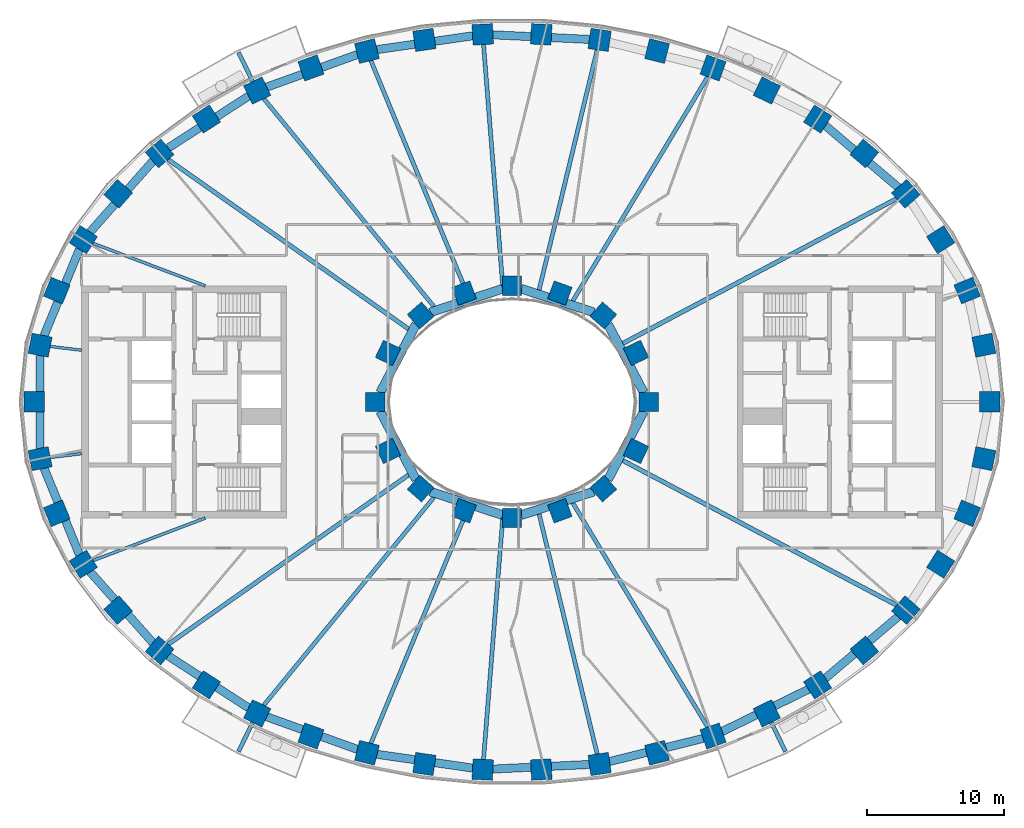
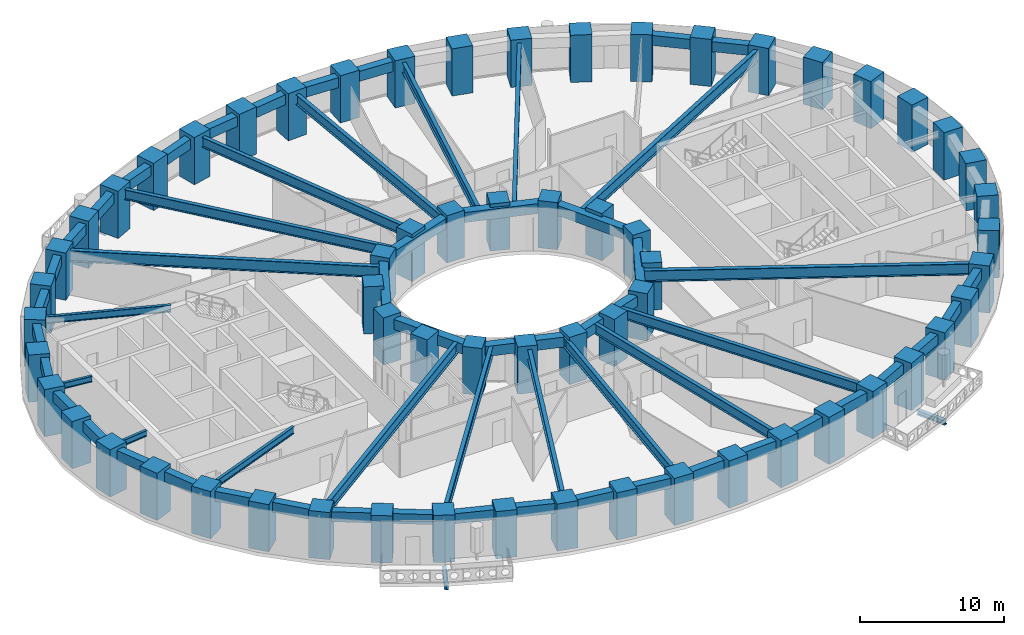
# One storey, part 1 of 15: 62 columns, 46 beams.
"""IFC4 building model written with IfcOpenShell, lengths in metres."""

from ifc_helpers import new_model, si_unit, direction, frame, origin, origin_2d, place, context, subcontext, project, spatial, rectangle, i_section, extrude, material, material_profile, profile_set, type_object, element, save


model = new_model("IFC4")

# Units and contexts
model_context = context("Model", 3, precision=1e-05, world=origin(), true_north=direction((0.0, 1.0)))
body_context = subcontext(model_context, "Body", "Model", "MODEL_VIEW")
ifc_project = project(units=[si_unit("LENGTHUNIT", "METRE"), si_unit("AREAUNIT", "SQUARE_METRE"), si_unit("VOLUMEUNIT", "CUBIC_METRE"), si_unit("PLANEANGLEUNIT", "RADIAN"), si_unit("MASSUNIT", "GRAM", prefix="KILO")], contexts=[model_context])

# Site, building, storey
site_placement = place(None, origin())
site = spatial("IfcSite", under=ifc_project, at=site_placement, CompositionType="ELEMENT")
building_placement = place(site_placement, origin())
building = spatial("IfcBuilding", under=site, at=building_placement, Name="Noorbagh Ring Tower", CompositionType="ELEMENT")
storey_placement = place(building_placement, frame((0.0, 0.0, 38.5)))
storey = spatial("IfcBuildingStorey", under=building, at=storey_placement, Name="L07", CompositionType="ELEMENT", Elevation=38.5)

# Columns
ifc_material_1 = material(Name="Concrete C70/85", Category="concrete")
ifc_material_profile_1 = material_profile(ifc_material_1, rectangle(XDim=1.5, YDim=1.5, at=origin_2d()), Name="RC1500x1500")
ifc_profile_set_1 = profile_set([ifc_material_profile_1], Name="Concrete C70/85")
column_type_1 = type_object("IfcColumnType", Name="STR-COL-RC1500x1500-C70-85", PredefinedType="COLUMN", material=ifc_profile_set_1)
for number, where, z_axis, x_axis, name in (
    (1, (34.944580078125, 0.0, 0.0), (0.0, 0.0, 1.0), (0.0, 1.0, 0.0), "L07/col/R1-01"),
    (2, (34.52685546875, 4.150634765625, 0.0), (0.0, 0.0, 1.0), (-0.19723040178, 0.9803571638, 0.0), "L07/col/R1-02"),
    (3, (33.30517578125, 8.1494140625, 0.0), (0.0, 0.0, 1.0), (-0.378989499959, 0.925400971969, 0.0), "L07/col/R1-03"),
    (4, (31.364990234375, 11.87109375, 0.0), (0.0, 0.0, 1.0), (-0.535190403059, 0.844731455833, 0.0), "L07/col/R1-04"),
    (5, (28.81884765625, 15.23046875, 0.0), (0.0, 0.0, 1.0), (-0.662635642662, 0.748941923699, 0.0), "L07/col/R1-05"),
    (6, (25.78271484375, 18.180419921875, 0.0), (0.0, 0.0, 1.0), (-0.763035199656, 0.646356932419, 0.0), "L07/col/R1-06"),
    (7, (22.362060546875, 20.699951171875, 0.0), (0.0, 0.0, 1.0), (-0.840247639643, 0.542202825586, 0.0), "L07/col/R1-07"),
    (8, (18.646240234375, 22.785400390625, 0.0), (0.0, 0.0, 1.0), (-0.898399080868, 0.439180021741, 0.0), "L07/col/R1-08"),
    (9, (14.70947265625, 24.44091796875, 0.0), (0.0, 0.0, 1.0), (-0.941024726094, 0.338337797003, 0.0), "L07/col/R1-09"),
    (10, (10.61328125, 25.673583984375, 0.0), (0.0, 0.0, 1.0), (-0.970829360981, 0.239771457553, 0.0), "L07/col/R1-10"),
    (11, (6.4091796875, 26.49072265625, 0.0), (0.0, 0.0, 1.0), (-0.989713114048, 0.143066249975, 0.0), "L07/col/R1-11"),
    (12, (2.14306640625, 26.89794921875, 0.0), (0.0, 0.0, 1.0), (-0.998868731212, 0.047552684538, 0.0), "L07/col/R1-12"),
    (13, (-2.14306640625, 26.89794921875, 0.0), (0.0, 0.0, 1.0), (-0.998868731212, -0.047552684538, 0.0), "L07/col/R1-13"),
    (14, (-6.4091796875, 26.49072265625, 0.0), (0.0, 0.0, 1.0), (-0.989713114048, -0.143066249975, 0.0), "L07/col/R1-14"),
    (15, (-10.61328125, 25.673583984375, 0.0), (0.0, 0.0, 1.0), (-0.970829360981, -0.239771457553, 0.0), "L07/col/R1-15"),
    (16, (-14.70947265625, 24.44091796875, 0.0), (0.0, 0.0, 1.0), (-0.941024726094, -0.338337797003, 0.0), "L07/col/R1-16"),
    (17, (-18.646240234375, 22.785400390625, 0.0), (0.0, 0.0, 1.0), (-0.898399080868, -0.439180021741, 0.0), "L07/col/R1-17"),
    (18, (-22.362060546875, 20.699951171875, 0.0), (0.0, 0.0, 1.0), (-0.840247639643, -0.542202825586, 0.0), "L07/col/R1-18"),
    (19, (-25.78271484375, 18.180419921875, 0.0), (0.0, 0.0, 1.0), (-0.763035199656, -0.646356932419, 0.0), "L07/col/R1-19"),
    (20, (-28.81884765625, 15.23046875, 0.0), (0.0, 0.0, 1.0), (-0.662635642662, -0.748941923699, 0.0), "L07/col/R1-20"),
    (21, (-31.364990234375, 11.87109375, 0.0), (0.0, 0.0, 1.0), (-0.535190403059, -0.844731455833, 0.0), "L07/col/R1-21"),
    (22, (-33.30517578125, 8.1494140625, 0.0), (0.0, 0.0, 1.0), (-0.378989499959, -0.925400971969, 0.0), "L07/col/R1-22"),
    (23, (-34.52685546875, 4.150634765625, 0.0), (0.0, 0.0, 1.0), (-0.19723040178, -0.9803571638, 0.0), "L07/col/R1-23"),
    (24, (-34.944580078125, 0.0, 0.0), (0.0, 0.0, 1.0), (0.0, -1.0, 0.0), "L07/col/R1-24"),
    (25, (-34.52685546875, -4.150634765625, 0.0), (0.0, 0.0, 1.0), (0.19723040178, -0.9803571638, 0.0), "L07/col/R1-25"),
    (26, (-33.30517578125, -8.1494140625, 0.0), (0.0, 0.0, 1.0), (0.378989499959, -0.925400971969, 0.0), "L07/col/R1-26"),
    (27, (-31.364990234375, -11.87109375, 0.0), (0.0, 0.0, 1.0), (0.535190403059, -0.844731455833, 0.0), "L07/col/R1-27"),
    (28, (-28.81884765625, -15.23046875, 0.0), (0.0, 0.0, 1.0), (0.662635642662, -0.748941923699, 0.0), "L07/col/R1-28"),
    (29, (-25.78271484375, -18.180419921875, 0.0), (0.0, 0.0, 1.0), (0.763035199656, -0.646356932419, 0.0), "L07/col/R1-29"),
    (30, (-22.362060546875, -20.699951171875, 0.0), (0.0, 0.0, 1.0), (0.840247639643, -0.542202825586, 0.0), "L07/col/R1-30"),
    (31, (-18.646240234375, -22.785400390625, 0.0), (0.0, 0.0, 1.0), (0.898399080868, -0.439180021741, 0.0), "L07/col/R1-31"),
    (32, (-14.70947265625, -24.44091796875, 0.0), (0.0, 0.0, 1.0), (0.941024726094, -0.338337797003, 0.0), "L07/col/R1-32"),
    (33, (-10.61328125, -25.673583984375, 0.0), (0.0, 0.0, 1.0), (0.970829360981, -0.239771457553, 0.0), "L07/col/R1-33"),
    (34, (-6.4091796875, -26.49072265625, 0.0), (0.0, 0.0, 1.0), (0.989713114048, -0.143066249975, 0.0), "L07/col/R1-34"),
    (35, (-2.14306640625, -26.89794921875, 0.0), (0.0, 0.0, 1.0), (0.998868731212, -0.047552684538, 0.0), "L07/col/R1-35"),
    (36, (2.14306640625, -26.89794921875, 0.0), (0.0, 0.0, 1.0), (0.998868731212, 0.047552684538, 0.0), "L07/col/R1-36"),
    (37, (6.4091796875, -26.49072265625, 0.0), (0.0, 0.0, 1.0), (0.989713114048, 0.143066249975, 0.0), "L07/col/R1-37"),
    (38, (10.61328125, -25.673583984375, 0.0), (0.0, 0.0, 1.0), (0.970829360981, 0.239771457553, 0.0), "L07/col/R1-38"),
    (39, (14.70947265625, -24.44091796875, 0.0), (0.0, 0.0, 1.0), (0.941024726094, 0.338337797003, 0.0), "L07/col/R1-39"),
    (40, (18.646240234375, -22.785400390625, 0.0), (0.0, 0.0, 1.0), (0.898399080868, 0.439180021741, 0.0), "L07/col/R1-40"),
    (41, (22.362060546875, -20.699951171875, 0.0), (0.0, 0.0, 1.0), (0.840247639643, 0.542202825586, 0.0), "L07/col/R1-41"),
    (42, (25.78271484375, -18.180419921875, 0.0), (0.0, 0.0, 1.0), (0.763035199656, 0.646356932419, 0.0), "L07/col/R1-42"),
    (43, (28.81884765625, -15.23046875, 0.0), (0.0, 0.0, 1.0), (0.662635642662, 0.748941923699, 0.0), "L07/col/R1-43"),
    (44, (31.364990234375, -11.87109375, 0.0), (0.0, 0.0, 1.0), (0.535190403059, 0.844731455833, 0.0), "L07/col/R1-44"),
    (45, (33.30517578125, -8.1494140625, 0.0), (0.0, 0.0, 1.0), (0.378989499959, 0.925400971969, 0.0), "L07/col/R1-45"),
    (46, (34.52685546875, -4.150634765625, 0.0), (0.0, 0.0, 1.0), (0.19723040178, 0.9803571638, 0.0), "L07/col/R1-46"),
):
    element("IfcColumn", number, at=place(storey_placement, frame(where, z_axis=z_axis, x_axis=x_axis)), inside=storey, type_object=column_type_1, Name=name, PredefinedType="COLUMN", context=body_context, shape_type="SweptSolid", body=[
        extrude(rectangle(XDim=1.5, YDim=1.5, at=origin_2d()), origin(), (0.0, 0.0, 1.0), 4.0),
    ])
ifc_material_2 = material(Name="Concrete C70/85", Category="concrete")
ifc_material_profile_2 = material_profile(ifc_material_2, rectangle(XDim=1.39990234375, YDim=1.39990234375, at=origin_2d()), Name="RC1400x1400")
ifc_profile_set_2 = profile_set([ifc_material_profile_2], Name="Concrete C70/85")
column_type_2 = type_object("IfcColumnType", Name="STR-ICOL-RC1400x1400-C70-85", PredefinedType="COLUMN", material=ifc_profile_set_2)
for number, where, z_axis, x_axis, name in (
    (47, (10.00830078125, 0.0, 0.0), (0.0, 0.0, 1.0), (0.0, 1.0, 0.0), "L07/col/IR2-W01"),
    (48, (9.07568359375, 3.58837890625, 0.0), (0.0, 0.0, 1.0), (-0.428666979171, 0.903462573087, 0.0), "L07/col/IR2-W03"),
    (49, (6.68212890625, 6.333740234375, 0.0), (0.0, 0.0, 1.0), (-0.75102249095, 0.660276622399, 0.0), "L07/col/IR2-W05"),
    (50, (3.5009765625, 7.967041015625, 0.0), (0.0, 0.0, 1.0), (-0.939019578916, 0.343863679984, 0.0), "L07/col/IR2-W07"),
    (51, (0.0, 8.5029296875, 0.0), (0.0, 0.0, 1.0), (-1.0, 0.0, 0.0), "L07/col/IR2-W09"),
    (52, (-3.5009765625, 7.967041015625, 0.0), (0.0, 0.0, 1.0), (-0.939019578916, -0.343863679984, 0.0), "L07/col/IR2-W11"),
    (53, (-6.68212890625, 6.333740234375, 0.0), (0.0, 0.0, 1.0), (-0.75102249095, -0.660276622399, 0.0), "L07/col/IR2-W13"),
    (54, (-9.07568359375, 3.58837890625, 0.0), (0.0, 0.0, 1.0), (-0.428666979171, -0.903462573087, 0.0), "L07/col/IR2-W15"),
    (55, (-10.00830078125, 0.0, 0.0), (0.0, 0.0, 1.0), (0.0, -1.0, 0.0), "L07/col/IR2-W17"),
    (56, (-9.07568359375, -3.58837890625, 0.0), (0.0, 0.0, 1.0), (0.428666979171, -0.903462573087, 0.0), "L07/col/IR2-W19"),
    (57, (-6.68212890625, -6.333740234375, 0.0), (0.0, 0.0, 1.0), (0.75102249095, -0.660276622399, 0.0), "L07/col/IR2-W21"),
    (58, (-3.5009765625, -7.967041015625, 0.0), (0.0, 0.0, 1.0), (0.939019578916, -0.343863679984, 0.0), "L07/col/IR2-W23"),
    (59, (0.0, -8.5029296875, 0.0), (0.0, 0.0, 1.0), (1.0, 0.0, 0.0), "L07/col/IR2-W25"),
    (60, (3.5009765625, -7.967041015625, 0.0), (0.0, 0.0, 1.0), (0.939019578916, 0.343863679984, 0.0), "L07/col/IR2-W27"),
    (61, (6.68212890625, -6.333740234375, 0.0), (0.0, 0.0, 1.0), (0.75102249095, 0.660276622399, 0.0), "L07/col/IR2-W29"),
    (62, (9.07568359375, -3.58837890625, 0.0), (0.0, 0.0, 1.0), (0.428666979171, 0.903462573087, 0.0), "L07/col/IR2-W31"),
):
    element("IfcColumn", number, at=place(storey_placement, frame(where, z_axis=z_axis, x_axis=x_axis)), inside=storey, type_object=column_type_2, Name=name, PredefinedType="COLUMN", context=body_context, shape_type="SweptSolid", body=[
        extrude(rectangle(XDim=1.39990234375, YDim=1.39990234375, at=origin_2d()), origin(), (0.0, 0.0, 1.0), 4.0),
    ])

# Beams
ifc_material_3 = material(Name="Steel S355", Category="steel")
ifc_material_profile_3 = material_profile(ifc_material_3, i_section(OverallWidth=0.300048828125, OverallDepth=0.39990234375, WebThickness=0.013427734375, FlangeThickness=0.02392578125, FilletRadius=0.027099609375, at=origin_2d()), Name="HEB400")
ifc_profile_set_3 = profile_set([ifc_material_profile_3], Name="Steel S355")
beam_type_1 = type_object("IfcBeamType", Name="STR-BALCONY-BRACKET-HEB400", PredefinedType="BEAM", material=ifc_profile_set_3)
for number, where, z_axis, x_axis, name in (
    (63, (-18.967041015625, 23.441162109375, -0.5), (-0.439219349849, 0.898379854359, 0.0), (-0.898379854359, -0.439219349849, 0.0), "Balcony bracket beam BN05"),
    (64, (-18.967041015625, -23.441162109375, -0.5), (-0.439219349849, -0.898379854359, 0.0), (0.898379854359, -0.439219349849, 0.0), "Balcony bracket beam BS02"),
    (65, (18.967041015625, -23.441162109375, -0.5), (0.439219349849, -0.898379854359, 0.0), (0.898379854359, 0.439219349849, 0.0), "Balcony bracket beam BS05"),
):
    element("IfcBeam", number, at=place(storey_placement, frame(where, z_axis=z_axis, x_axis=x_axis)), inside=storey, type_object=beam_type_1, Name=name, PredefinedType="BEAM", context=body_context, shape_type="SweptSolid", body=[
        extrude(i_section(OverallWidth=0.300048828125, OverallDepth=0.39990234375, WebThickness=0.013427734375, FlangeThickness=0.02392578125, FilletRadius=0.027099609375, at=origin_2d()), origin(), (0.0, 0.0, 1.0), 2.375244140625),
    ])
ifc_material_4 = material(Name="Steel S355", Category="steel")
ifc_material_profile_4 = material_profile(ifc_material_4, i_section(OverallWidth=0.199951171875, OverallDepth=0.5, WebThickness=0.01025390625, FlangeThickness=0.01611328125, FilletRadius=0.02099609375, at=origin_2d()), Name="IPE500")
ifc_profile_set_4 = profile_set([ifc_material_profile_4], Name="Steel S355")
beam_type_2 = type_object("IfcBeamType", Name="STR-RAD-IPE500", PredefinedType="BEAM", material=ifc_profile_set_4)
for number, where, z_axis, x_axis, name in (
    (66, (-33.799560546875, 4.063232421875, 3.449951171875), (0.992852090588, -0.119351272363, 0.0), (0.119351272363, 0.992852090588, 0.0), "L07/bm/RD23"),
    (67, (-33.799560546875, -4.063232421875, 3.449951171875), (0.992852090588, 0.119351272363, 0.0), (-0.119351272363, 0.992852090588, 0.0), "L07/bm/RD25"),
):
    element("IfcBeam", number, at=place(storey_placement, frame(where, z_axis=z_axis, x_axis=x_axis)), inside=storey, type_object=beam_type_2, Name=name, PredefinedType="BEAM", context=body_context, shape_type="SweptSolid", body=[
        extrude(i_section(OverallWidth=0.199951171875, OverallDepth=0.5, WebThickness=0.01025390625, FlangeThickness=0.01611328125, FilletRadius=0.02099609375, at=origin_2d()), origin(), (0.0, 0.0, 1.0), 2.3359375),
    ])
ifc_material_5 = material(Name="Steel S355", Category="steel")
ifc_material_profile_5 = material_profile(ifc_material_5, i_section(OverallWidth=0.219970703125, OverallDepth=0.60009765625, WebThickness=0.011962890625, FlangeThickness=0.01904296875, FilletRadius=0.02392578125, at=origin_2d()), Name="IPE600")
ifc_profile_set_5 = profile_set([ifc_material_profile_5], Name="Steel S355")
beam_type_3 = type_object("IfcBeamType", Name="STR-RAD-IPE600", PredefinedType="BEAM", material=ifc_profile_set_5)
for number, where, z_axis, x_axis, name in (
    (68, (-30.66748046875, 11.60693359375, 3.39990234375), (0.93525621499, -0.353971485184, 0.0), (0.353971485184, 0.93525621499, 0.0), "L07/bm/RD21"),
    (69, (-30.66748046875, -11.60693359375, 3.39990234375), (0.93525621499, 0.353971485184, 0.0), (-0.353971485184, 0.93525621499, 0.0), "L07/bm/RD27"),
):
    element("IfcBeam", number, at=place(storey_placement, frame(where, z_axis=z_axis, x_axis=x_axis)), inside=storey, type_object=beam_type_3, Name=name, PredefinedType="BEAM", context=body_context, shape_type="SweptSolid", body=[
        extrude(i_section(OverallWidth=0.219970703125, OverallDepth=0.60009765625, WebThickness=0.011962890625, FlangeThickness=0.01904296875, FilletRadius=0.02392578125, at=origin_2d()), origin(), (0.0, 0.0, 1.0), 8.79736328125),
    ])
ifc_material_6 = material(Name="Steel S355", Category="steel")
ifc_material_profile_6 = material_profile(ifc_material_6, i_section(OverallWidth=0.300048828125, OverallDepth=0.85009765625, WebThickness=0.013916015625, FlangeThickness=0.028076171875, at=origin_2d()), Name="PG850x300x14x28")
ifc_profile_set_6 = profile_set([ifc_material_profile_6], Name="Steel S355")
beam_type_4 = type_object("IfcBeamType", Name="STR-RAD-PG850x300x14x28", PredefinedType="BEAM", material=ifc_profile_set_6)
beam_1_placement = place(storey_placement, frame((14.325439453125, 23.802734375, 3.27490234375), z_axis=(-0.515656740038, -0.856795265191, 0.0), x_axis=(0.856795265191, -0.515656740038, 0.0)))
element("IfcBeam", 70, at=beam_1_placement, inside=storey, type_object=beam_type_4, Name="L07/bm/RD09", PredefinedType="BEAM", context=body_context, shape_type="SweptSolid", body=[
    extrude(i_section(OverallWidth=0.300048828125, OverallDepth=0.85009765625, WebThickness=0.013916015625, FlangeThickness=0.028076171875, at=origin_2d()), origin(), (0.0, 0.0, 1.0), 19.16552734375),
])
beam_2_placement = place(storey_placement, frame((6.23681640625, 25.778076171875, 3.27490234375), z_axis=(-0.235164261049, -0.971955642159, 0.0), x_axis=(0.971955642159, -0.235164261049, 0.0)))
element("IfcBeam", 71, at=beam_2_placement, inside=storey, type_object=beam_type_4, Name="L07/bm/RD11", PredefinedType="BEAM", context=body_context, shape_type="SweptSolid", body=[
    extrude(i_section(OverallWidth=0.300048828125, OverallDepth=0.85009765625, WebThickness=0.013916015625, FlangeThickness=0.028076171875, at=origin_2d()), origin(), (0.0, 0.0, 1.0), 18.104736328125),
])
beam_3_placement = place(storey_placement, frame((-2.085205078125, 26.169921875, 3.27490234375), z_axis=(0.079431823064, -0.996840300893, 0.0), x_axis=(0.996840300893, 0.079431823064, 0.0)))
element("IfcBeam", 72, at=beam_3_placement, inside=storey, type_object=beam_type_4, Name="L07/bm/RD13", PredefinedType="BEAM", context=body_context, shape_type="SweptSolid", body=[
    extrude(i_section(OverallWidth=0.300048828125, OverallDepth=0.85009765625, WebThickness=0.013916015625, FlangeThickness=0.028076171875, at=origin_2d()), origin(), (0.0, 0.0, 1.0), 18.05126953125),
])
beam_4_placement = place(storey_placement, frame((-10.3310546875, 24.9912109375, 3.27490234375), z_axis=(0.382027192106, -0.924151083152, 0.0), x_axis=(0.924151083152, 0.382027192106, 0.0)))
element("IfcBeam", 73, at=beam_4_placement, inside=storey, type_object=beam_type_4, Name="L07/bm/RD15", PredefinedType="BEAM", context=body_context, shape_type="SweptSolid", body=[
    extrude(i_section(OverallWidth=0.300048828125, OverallDepth=0.85009765625, WebThickness=0.013916015625, FlangeThickness=0.028076171875, at=origin_2d()), origin(), (0.0, 0.0, 1.0), 18.624267578125),
])
for number, where, z_axis, x_axis, name in (
    (74, (-18.1708984375, 22.20458984375, 3.27490234375), (0.633309388091, -0.773898713628, 0.0), (0.773898713628, 0.633309388091, 0.0), "L07/bm/RD17"),
    (75, (-18.1708984375, -22.20458984375, 3.27490234375), (0.633309388091, 0.773898713628, 0.0), (-0.773898713628, 0.633309388091, 0.0), "L07/bm/RD31"),
):
    element("IfcBeam", number, at=place(storey_placement, frame(where, z_axis=z_axis, x_axis=x_axis)), inside=storey, type_object=beam_type_4, Name=name, PredefinedType="BEAM", context=body_context, shape_type="SweptSolid", body=[
        extrude(i_section(OverallWidth=0.300048828125, OverallDepth=0.85009765625, WebThickness=0.013916015625, FlangeThickness=0.028076171875, at=origin_2d()), origin(), (0.0, 0.0, 1.0), 19.68212890625),
    ])
beam_5_placement = place(storey_placement, frame((-10.3310546875, -24.9912109375, 3.27490234375), z_axis=(0.382027192106, 0.924151083152, 0.0), x_axis=(-0.924151083152, 0.382027192106, 0.0)))
element("IfcBeam", 76, at=beam_5_placement, inside=storey, type_object=beam_type_4, Name="L07/bm/RD33", PredefinedType="BEAM", context=body_context, shape_type="SweptSolid", body=[
    extrude(i_section(OverallWidth=0.300048828125, OverallDepth=0.85009765625, WebThickness=0.013916015625, FlangeThickness=0.028076171875, at=origin_2d()), origin(), (0.0, 0.0, 1.0), 18.624267578125),
])
beam_6_placement = place(storey_placement, frame((-2.085205078125, -26.169921875, 3.27490234375), z_axis=(0.079431823064, 0.996840300893, 0.0), x_axis=(-0.996840300893, 0.079431823064, 0.0)))
element("IfcBeam", 77, at=beam_6_placement, inside=storey, type_object=beam_type_4, Name="L07/bm/RD35", PredefinedType="BEAM", context=body_context, shape_type="SweptSolid", body=[
    extrude(i_section(OverallWidth=0.300048828125, OverallDepth=0.85009765625, WebThickness=0.013916015625, FlangeThickness=0.028076171875, at=origin_2d()), origin(), (0.0, 0.0, 1.0), 18.05126953125),
])
beam_7_placement = place(storey_placement, frame((6.23681640625, -25.778076171875, 3.27490234375), z_axis=(-0.235164261049, 0.971955642159, 0.0), x_axis=(-0.971955642159, -0.235164261049, 0.0)))
element("IfcBeam", 78, at=beam_7_placement, inside=storey, type_object=beam_type_4, Name="L07/bm/RD37", PredefinedType="BEAM", context=body_context, shape_type="SweptSolid", body=[
    extrude(i_section(OverallWidth=0.300048828125, OverallDepth=0.85009765625, WebThickness=0.013916015625, FlangeThickness=0.028076171875, at=origin_2d()), origin(), (0.0, 0.0, 1.0), 18.104736328125),
])
beam_8_placement = place(storey_placement, frame((14.325439453125, -23.802734375, 3.27490234375), z_axis=(-0.515656740038, 0.856795265191, 0.0), x_axis=(-0.856795265191, -0.515656740038, 0.0)))
element("IfcBeam", 79, at=beam_8_placement, inside=storey, type_object=beam_type_4, Name="L07/bm/RD39", PredefinedType="BEAM", context=body_context, shape_type="SweptSolid", body=[
    extrude(i_section(OverallWidth=0.300048828125, OverallDepth=0.85009765625, WebThickness=0.013916015625, FlangeThickness=0.028076171875, at=origin_2d()), origin(), (0.0, 0.0, 1.0), 19.16552734375),
])
ifc_material_7 = material(Name="Steel S355", Category="steel")
ifc_material_profile_7 = material_profile(ifc_material_7, i_section(OverallWidth=0.320068359375, OverallDepth=0.949951171875, WebThickness=0.01611328125, FlangeThickness=0.030029296875, at=origin_2d()), Name="PG950x320x16x30")
ifc_profile_set_7 = profile_set([ifc_material_profile_7], Name="Steel S355")
beam_type_5 = type_object("IfcBeamType", Name="STR-RAD-PG950x320x16x30", PredefinedType="BEAM", material=ifc_profile_set_7)
beam_9_placement = place(storey_placement, frame((28.154052734375, 14.879150390625, 3.22509765625), z_axis=(-0.88412365795, -0.467252990844, 0.0), x_axis=(0.467252990844, -0.88412365795, 0.0)))
element("IfcBeam", 80, at=beam_9_placement, inside=storey, type_object=beam_type_5, Name="L07/bm/RD05", PredefinedType="BEAM", context=body_context, shape_type="SweptSolid", body=[
    extrude(i_section(OverallWidth=0.320068359375, OverallDepth=0.949951171875, WebThickness=0.01611328125, FlangeThickness=0.030029296875, at=origin_2d()), origin(), (0.0, 0.0, 1.0), 22.67822265625),
])
for number, where, z_axis, x_axis, name in (
    (81, (-25.165771484375, 17.745361328125, 3.22509765625), (0.817254439709, -0.576277000041, 0.0), (0.576277000041, 0.817254439709, 0.0), "L07/bm/RD19"),
    (82, (-25.165771484375, -17.745361328125, 3.22509765625), (0.817254439709, 0.576277000041, 0.0), (-0.576277000041, 0.817254439709, 0.0), "L07/bm/RD29"),
):
    element("IfcBeam", number, at=place(storey_placement, frame(where, z_axis=z_axis, x_axis=x_axis)), inside=storey, type_object=beam_type_5, Name=name, PredefinedType="BEAM", context=body_context, shape_type="SweptSolid", body=[
        extrude(i_section(OverallWidth=0.320068359375, OverallDepth=0.949951171875, WebThickness=0.01611328125, FlangeThickness=0.030029296875, at=origin_2d()), origin(), (0.0, 0.0, 1.0), 21.548095703125),
    ])
beam_10_placement = place(storey_placement, frame((28.154052734375, -14.879150390625, 3.22509765625), z_axis=(-0.88412365795, 0.467252990844, 0.0), x_axis=(-0.467252990844, -0.88412365795, 0.0)))
element("IfcBeam", 83, at=beam_10_placement, inside=storey, type_object=beam_type_5, Name="L07/bm/RD43", PredefinedType="BEAM", context=body_context, shape_type="SweptSolid", body=[
    extrude(i_section(OverallWidth=0.320068359375, OverallDepth=0.949951171875, WebThickness=0.01611328125, FlangeThickness=0.030029296875, at=origin_2d()), origin(), (0.0, 0.0, 1.0), 22.67822265625),
])
ifc_material_8 = material(Name="Concrete C40/50", Category="concrete")
ifc_material_profile_8 = material_profile(ifc_material_8, rectangle(XDim=0.64990234375, YDim=0.85009765625, at=origin_2d()), Name="RC650x850")
ifc_profile_set_8 = profile_set([ifc_material_profile_8], Name="Concrete C40/50")
beam_type_6 = type_object("IfcBeamType", Name="STR-RB-RC650x850-C40-50", PredefinedType="BEAM", material=ifc_profile_set_8)
beam_11_placement = place(storey_placement, frame((9.650146484375, 0.682373046875, 3.27490234375), z_axis=(-0.464950685644, 0.885336580019, 0.0), x_axis=(-0.885336580019, -0.464950685644, 0.0)))
element("IfcBeam", 84, at=beam_11_placement, inside=storey, type_object=beam_type_6, Name="L07/bm/RG01", PredefinedType="BEAM", context=body_context, shape_type="SweptSolid", body=[
    extrude(rectangle(XDim=0.64990234375, YDim=0.85009765625, at=origin_2d()), origin(), (0.0, 0.0, 1.0), 5.653564453125),
])
for number, where, z_axis, x_axis, name in (
    (85, (5.97607421875, 6.56298828125, 3.27490234375), (-0.951149054478, 0.3087320459, 0.0), (-0.3087320459, -0.951149054478, 0.0), "L07/bm/RG03"),
    (86, (-0.680908203125, 8.28173828125, 3.27490234375), (-0.951149054478, -0.3087320459, 0.0), (0.3087320459, -0.951149054478, 0.0), "L07/bm/RG05"),
):
    element("IfcBeam", number, at=place(storey_placement, frame(where, z_axis=z_axis, x_axis=x_axis)), inside=storey, type_object=beam_type_6, Name=name, PredefinedType="BEAM", context=body_context, shape_type="SweptSolid", body=[
        extrude(rectangle(XDim=0.64990234375, YDim=0.85009765625, at=origin_2d()), origin(), (0.0, 0.0, 1.0), 5.567138671875),
    ])
for number, where, z_axis, x_axis, name in (
    (87, (-7.021484375, 5.687744140625, 3.27490234375), (-0.464950685644, -0.885336580019, 0.0), (0.885336580019, -0.464950685644, 0.0), "L07/bm/RG07"),
    (88, (-9.650146484375, -0.682373046875, 3.27490234375), (0.464950685644, -0.885336580019, 0.0), (0.885336580019, 0.464950685644, 0.0), "L07/bm/RG09"),
):
    element("IfcBeam", number, at=place(storey_placement, frame(where, z_axis=z_axis, x_axis=x_axis)), inside=storey, type_object=beam_type_6, Name=name, PredefinedType="BEAM", context=body_context, shape_type="SweptSolid", body=[
        extrude(rectangle(XDim=0.64990234375, YDim=0.85009765625, at=origin_2d()), origin(), (0.0, 0.0, 1.0), 5.653564453125),
    ])
for number, where, z_axis, x_axis, name in (
    (89, (-5.97607421875, -6.56298828125, 3.27490234375), (0.951149054478, -0.3087320459, 0.0), (0.3087320459, 0.951149054478, 0.0), "L07/bm/RG11"),
    (90, (0.680908203125, -8.28173828125, 3.27490234375), (0.951149054478, 0.3087320459, 0.0), (-0.3087320459, 0.951149054478, 0.0), "L07/bm/RG13"),
):
    element("IfcBeam", number, at=place(storey_placement, frame(where, z_axis=z_axis, x_axis=x_axis)), inside=storey, type_object=beam_type_6, Name=name, PredefinedType="BEAM", context=body_context, shape_type="SweptSolid", body=[
        extrude(rectangle(XDim=0.64990234375, YDim=0.85009765625, at=origin_2d()), origin(), (0.0, 0.0, 1.0), 5.567138671875),
    ])
beam_12_placement = place(storey_placement, frame((7.021484375, -5.687744140625, 3.27490234375), z_axis=(0.464950685644, 0.885336580019, 0.0), x_axis=(-0.885336580019, 0.464950685644, 0.0)))
element("IfcBeam", 91, at=beam_12_placement, inside=storey, type_object=beam_type_6, Name="L07/bm/RG15", PredefinedType="BEAM", context=body_context, shape_type="SweptSolid", body=[
    extrude(rectangle(XDim=0.64990234375, YDim=0.85009765625, at=origin_2d()), origin(), (0.0, 0.0, 1.0), 5.653564453125),
])
ifc_material_9 = material(Name="Concrete C40/50", Category="concrete")
ifc_material_profile_9 = material_profile(ifc_material_9, rectangle(XDim=0.60009765625, YDim=0.85009765625, at=origin_2d()), Name="RC600x850")
ifc_profile_set_9 = profile_set([ifc_material_profile_9], Name="Concrete C40/50")
beam_type_7 = type_object("IfcBeamType", Name="STR-SB-RC600x850-C40-50", PredefinedType="BEAM", material=ifc_profile_set_9)
beam_13_placement = place(storey_placement, frame((28.255859375, 15.707275390625, 3.27490234375), z_axis=(-0.763024386832, 0.646369696922, 0.0), x_axis=(-0.646369696922, -0.763024386832, 0.0)))
element("IfcBeam", 92, at=beam_13_placement, inside=storey, type_object=beam_type_7, Name="L07/bm/SP05", PredefinedType="BEAM", context=body_context, shape_type="SweptSolid", body=[
    extrude(rectangle(XDim=0.60009765625, YDim=0.85009765625, at=origin_2d()), origin(), (0.0, 0.0, 1.0), 6.988037109375),
])
beam_14_placement = place(storey_placement, frame((5.676513671875, 26.525634765625, 3.27490234375), z_axis=(-0.998868682603, 0.047553705583, 0.0), x_axis=(-0.047553705583, -0.998868682603, 0.0)))
element("IfcBeam", 93, at=beam_14_placement, inside=storey, type_object=beam_type_7, Name="L07/bm/SP11", PredefinedType="BEAM", context=body_context, shape_type="SweptSolid", body=[
    extrude(rectangle(XDim=0.60009765625, YDim=0.85009765625, at=origin_2d()), origin(), (0.0, 0.0, 1.0), 7.09521484375),
])
beam_15_placement = place(storey_placement, frame((-2.869140625, 26.79296875, 3.27490234375), z_axis=(-0.989714712052, -0.14305519476, 0.0), x_axis=(0.14305519476, -0.989714712052, 0.0)))
element("IfcBeam", 94, at=beam_15_placement, inside=storey, type_object=beam_type_7, Name="L07/bm/SP13", PredefinedType="BEAM", context=body_context, shape_type="SweptSolid", body=[
    extrude(rectangle(XDim=0.60009765625, YDim=0.85009765625, at=origin_2d()), origin(), (0.0, 0.0, 1.0), 7.091064453125),
])
beam_16_placement = place(storey_placement, frame((-11.303955078125, 25.42529296875, 3.27490234375), z_axis=(-0.941024719218, -0.338337816127, 0.0), x_axis=(0.338337816127, -0.941024719218, 0.0)))
element("IfcBeam", 95, at=beam_16_placement, inside=storey, type_object=beam_type_7, Name="L07/bm/SP15", PredefinedType="BEAM", context=body_context, shape_type="SweptSolid", body=[
    extrude(rectangle(XDim=0.60009765625, YDim=0.85009765625, at=origin_2d()), origin(), (0.0, 0.0, 1.0), 7.06787109375),
])
beam_17_placement = place(storey_placement, frame((-19.26416015625, 22.38671875, 3.27490234375), z_axis=(-0.840248616013, -0.54220131251, 0.0), x_axis=(0.54220131251, -0.840248616013, 0.0)))
element("IfcBeam", 96, at=beam_17_placement, inside=storey, type_object=beam_type_7, Name="L07/bm/SP17", PredefinedType="BEAM", context=body_context, shape_type="SweptSolid", body=[
    extrude(rectangle(XDim=0.60009765625, YDim=0.85009765625, at=origin_2d()), origin(), (0.0, 0.0, 1.0), 7.021728515625),
])
beam_18_placement = place(storey_placement, frame((-26.271728515625, 17.627685546875, 3.27490234375), z_axis=(-0.662649709282, -0.748929477847, 0.0), x_axis=(0.748929477847, -0.662649709282, 0.0)))
element("IfcBeam", 97, at=beam_18_placement, inside=storey, type_object=beam_type_7, Name="L07/bm/SP19", PredefinedType="BEAM", context=body_context, shape_type="SweptSolid", body=[
    extrude(rectangle(XDim=0.60009765625, YDim=0.85009765625, at=origin_2d()), origin(), (0.0, 0.0, 1.0), 6.94677734375),
])
beam_19_placement = place(storey_placement, frame((-31.646240234375, 11.1845703125, 3.27490234375), z_axis=(-0.378965542347, -0.925410783228, 0.0), x_axis=(0.925410783228, -0.378965542347, 0.0)))
element("IfcBeam", 98, at=beam_19_placement, inside=storey, type_object=beam_type_7, Name="L07/bm/SP21", PredefinedType="BEAM", context=body_context, shape_type="SweptSolid", body=[
    extrude(rectangle(XDim=0.60009765625, YDim=0.85009765625, at=origin_2d()), origin(), (0.0, 0.0, 1.0), 6.857177734375),
])
beam_20_placement = place(storey_placement, frame((-34.52685546875, 3.40576171875, 3.27490234375), z_axis=(0.0, -1.0, 0.0), x_axis=(1.0, 0.0, 0.0)))
element("IfcBeam", 99, at=beam_20_placement, inside=storey, type_object=beam_type_7, Name="L07/bm/SP23", PredefinedType="BEAM", context=body_context, shape_type="SweptSolid", body=[
    extrude(rectangle(XDim=0.60009765625, YDim=0.85009765625, at=origin_2d()), origin(), (0.0, 0.0, 1.0), 6.8115234375),
])
beam_21_placement = place(storey_placement, frame((-34.244873046875, -4.8388671875, 3.27490234375), z_axis=(0.378965542347, -0.925410783228, 0.0), x_axis=(0.925410783228, 0.378965542347, 0.0)))
element("IfcBeam", 100, at=beam_21_placement, inside=storey, type_object=beam_type_7, Name="L07/bm/SP25", PredefinedType="BEAM", context=body_context, shape_type="SweptSolid", body=[
    extrude(rectangle(XDim=0.60009765625, YDim=0.85009765625, at=origin_2d()), origin(), (0.0, 0.0, 1.0), 6.857177734375),
])
beam_22_placement = place(storey_placement, frame((-30.875, -12.425048828125, 3.27490234375), z_axis=(0.662649709282, -0.748929477847, 0.0), x_axis=(0.748929477847, 0.662649709282, 0.0)))
element("IfcBeam", 101, at=beam_22_placement, inside=storey, type_object=beam_type_7, Name="L07/bm/SP27", PredefinedType="BEAM", context=body_context, shape_type="SweptSolid", body=[
    extrude(rectangle(XDim=0.60009765625, YDim=0.85009765625, at=origin_2d()), origin(), (0.0, 0.0, 1.0), 6.94677734375),
])
beam_23_placement = place(storey_placement, frame((-25.1640625, -18.57958984375, 3.27490234375), z_axis=(0.840248616013, -0.54220131251, 0.0), x_axis=(0.54220131251, 0.840248616013, 0.0)))
element("IfcBeam", 102, at=beam_23_placement, inside=storey, type_object=beam_type_7, Name="L07/bm/SP29", PredefinedType="BEAM", context=body_context, shape_type="SweptSolid", body=[
    extrude(rectangle(XDim=0.60009765625, YDim=0.85009765625, at=origin_2d()), origin(), (0.0, 0.0, 1.0), 7.021728515625),
])
beam_24_placement = place(storey_placement, frame((-17.955078125, -23.033935546875, 3.27490234375), z_axis=(0.941024719218, -0.338337816127, 0.0), x_axis=(0.338337816127, 0.941024719218, 0.0)))
element("IfcBeam", 103, at=beam_24_placement, inside=storey, type_object=beam_type_7, Name="L07/bm/SP31", PredefinedType="BEAM", context=body_context, shape_type="SweptSolid", body=[
    extrude(rectangle(XDim=0.60009765625, YDim=0.85009765625, at=origin_2d()), origin(), (0.0, 0.0, 1.0), 7.06787109375),
])
beam_25_placement = place(storey_placement, frame((-9.88720703125, -25.778564453125, 3.27490234375), z_axis=(0.989714712052, -0.14305519476, 0.0), x_axis=(0.14305519476, 0.989714712052, 0.0)))
element("IfcBeam", 104, at=beam_25_placement, inside=storey, type_object=beam_type_7, Name="L07/bm/SP33", PredefinedType="BEAM", context=body_context, shape_type="SweptSolid", body=[
    extrude(rectangle(XDim=0.60009765625, YDim=0.85009765625, at=origin_2d()), origin(), (0.0, 0.0, 1.0), 7.091064453125),
])
beam_26_placement = place(storey_placement, frame((-1.41064453125, -26.863037109375, 3.27490234375), z_axis=(0.998868682603, 0.047553705583, 0.0), x_axis=(-0.047553705583, 0.998868682603, 0.0)))
element("IfcBeam", 105, at=beam_26_placement, inside=storey, type_object=beam_type_7, Name="L07/bm/SP35", PredefinedType="BEAM", context=body_context, shape_type="SweptSolid", body=[
    extrude(rectangle(XDim=0.60009765625, YDim=0.85009765625, at=origin_2d()), origin(), (0.0, 0.0, 1.0), 7.09521484375),
])
beam_27_placement = place(storey_placement, frame((7.12158203125, -26.31494140625, 3.27490234375), z_axis=(0.970830070282, 0.23976858559, 0.0), x_axis=(-0.23976858559, 0.970830070282, 0.0)))
element("IfcBeam", 106, at=beam_27_placement, inside=storey, type_object=beam_type_7, Name="L07/bm/SP37", PredefinedType="BEAM", context=body_context, shape_type="SweptSolid", body=[
    extrude(rectangle(XDim=0.60009765625, YDim=0.85009765625, at=origin_2d()), origin(), (0.0, 0.0, 1.0), 7.081787109375),
])
beam_28_placement = place(storey_placement, frame((15.369384765625, -24.1181640625, 3.27490234375), z_axis=(0.898409265653, 0.439159186843, 0.0), x_axis=(-0.439159186843, 0.898409265653, 0.0)))
element("IfcBeam", 107, at=beam_28_placement, inside=storey, type_object=beam_type_7, Name="L07/bm/SP39", PredefinedType="BEAM", context=body_context, shape_type="SweptSolid", body=[
    extrude(rectangle(XDim=0.60009765625, YDim=0.85009765625, at=origin_2d()), origin(), (0.0, 0.0, 1.0), 7.048095703125),
])
beam_29_placement = place(storey_placement, frame((22.923828125, -20.22412109375, 3.27490234375), z_axis=(0.763024386832, 0.646369696922, 0.0), x_axis=(-0.646369696922, 0.763024386832, 0.0)))
element("IfcBeam", 108, at=beam_29_placement, inside=storey, type_object=beam_type_7, Name="L07/bm/SP41", PredefinedType="BEAM", context=body_context, shape_type="SweptSolid", body=[
    extrude(rectangle(XDim=0.60009765625, YDim=0.85009765625, at=origin_2d()), origin(), (0.0, 0.0, 1.0), 6.988037109375),
])

save(model, "model.ifc")
